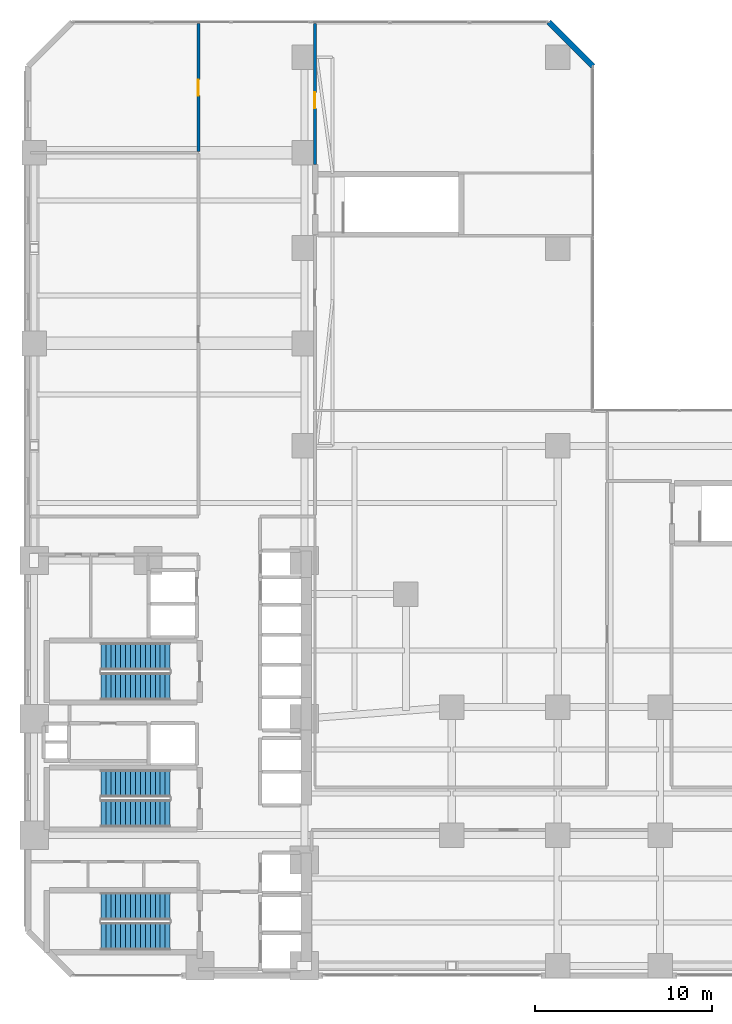
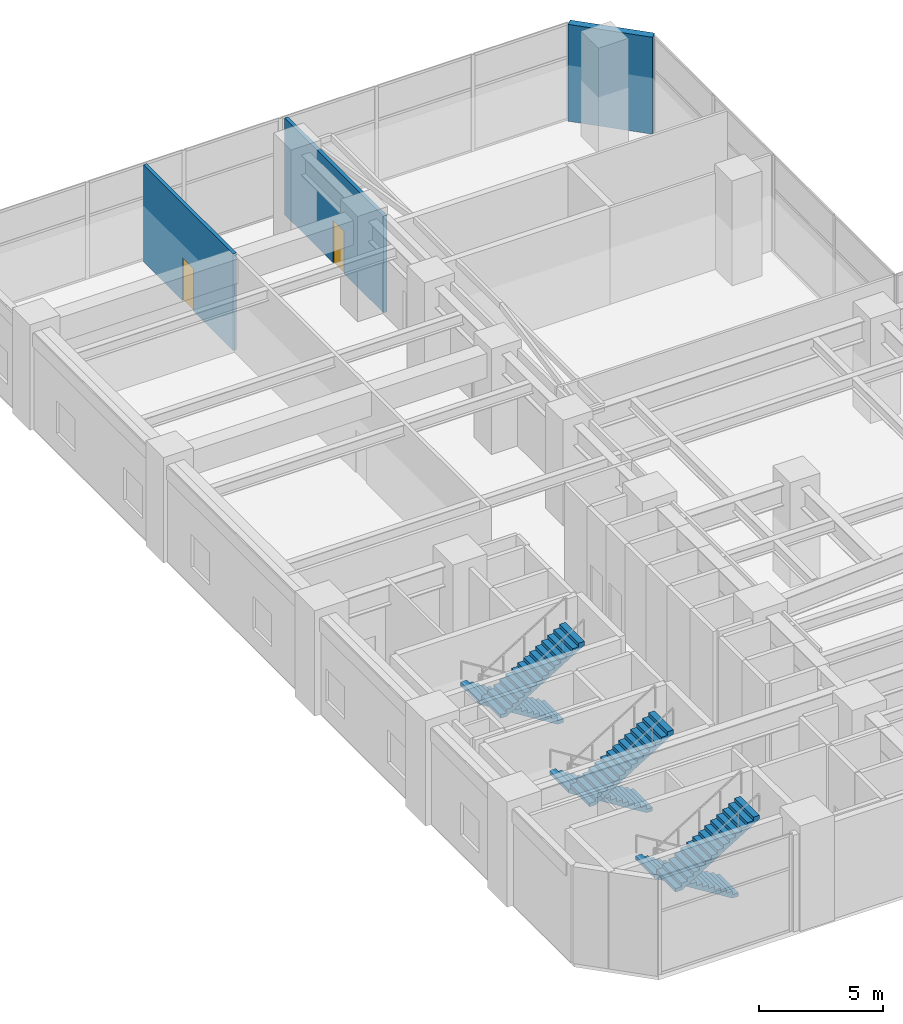
# One storey, part 25 of 29: 6 stair flights, 3 walls, 2 doors, 2 openings, 3 elements without a shape of their own.
"""IFC4 building model written with IfcOpenShell, lengths in metres."""

import ifcopenshell
import ifcopenshell.guid

model = None  # the IFC model being written
_history = None  # IfcOwnerHistory: only IFC2X3 demands one
_inside = {}  # id of a spatial element -> (the spatial element, [elements in it])
_under = {}  # id of a project, library or spatial element -> (it, [spatial elements below it])
_declared = {}  # id of a project -> (the project, [libraries it declares])
_typed = {}  # id of a type object -> (the type object, [elements of that type])
_made_of = {}  # id of a material, layer set ... -> (it, [elements and type objects made of it])


def new_model(schema):
    """Start an empty IFC model of exactly this schema.

    Asked for "IFC4X3", IfcOpenShell would pick the latest addendum, in which some entities
    have other attributes; the version numbers below select the first issue.
    IFC2X3 requires an IfcOwnerHistory on every rooted entity: one is made here for all.
    """
    global model, _history
    if schema == "IFC4X3":
        model = ifcopenshell.file(schema_version=(4, 3, 0, 0))
    else:
        model = ifcopenshell.file(schema=schema)
    _inside.clear()
    _under.clear()
    _declared.clear()
    _typed.clear()
    _made_of.clear()
    _history = None
    if model.schema == "IFC2X3":
        org = make("IfcOrganization", Name="unknown")
        user = make(
            "IfcPersonAndOrganization",
            ThePerson=make("IfcPerson", FamilyName="unknown"),
            TheOrganization=org,
        )
        app = make(
            "IfcApplication",
            ApplicationDeveloper=org,
            Version="unknown",
            ApplicationFullName="unknown",
            ApplicationIdentifier="unknown",
        )
        _history = make(
            "IfcOwnerHistory",
            OwningUser=user,
            OwningApplication=app,
            ChangeAction="ADDED",
            CreationDate=0,
        )
    return model


def make(cls, **values):
    """One entity of the class cls with the attributes given. An attribute that is None is left unset."""
    return model.create_entity(
        cls, **{name: value for name, value in values.items() if value is not None}
    )


def rooted(cls, **values):
    """An entity with a GlobalId (a new one), such as an element, a storey or a relation."""
    return make(cls, GlobalId=ifcopenshell.guid.new(), OwnerHistory=_history, **values)


def si_unit(unit_type, name, prefix=None):
    """IfcSIUnit, for example si_unit("LENGTHUNIT", "METRE", prefix="MILLI")."""
    return make("IfcSIUnit", UnitType=unit_type, Prefix=prefix, Name=name)


def assignment(units):
    """IfcUnitAssignment: the units of a project."""
    return None if units is None else make("IfcUnitAssignment", Units=units)


def point(xyz):
    """IfcCartesianPoint."""
    return None if xyz is None else make("IfcCartesianPoint", Coordinates=xyz)


def direction(xyz):
    """IfcDirection."""
    return None if xyz is None else make("IfcDirection", DirectionRatios=xyz)


def frame(location, z_axis=None, x_axis=None):
    """IfcAxis2Placement3D, a coordinate frame: its origin and axes. An axis left out is left unset."""
    return make(
        "IfcAxis2Placement3D",
        Location=point(location),
        Axis=direction(z_axis),
        RefDirection=direction(x_axis),
    )


def frame_2d(location, x_axis=None):
    """IfcAxis2Placement2D, a coordinate frame in the plane: its origin and x axis."""
    return make(
        "IfcAxis2Placement2D", Location=point(location), RefDirection=direction(x_axis)
    )


def origin():
    """The frame at (0, 0, 0) with its axes left unset."""
    return frame((0.0, 0.0, 0.0))


def place(relative_to, where):
    """IfcLocalPlacement: puts the frame where relative to a parent placement (None: the world)."""
    return make(
        "IfcLocalPlacement", PlacementRelTo=relative_to, RelativePlacement=where
    )


def context(
    kind, dimensions, precision=None, world=None, true_north=None, identifier=None
):
    """IfcGeometricRepresentationContext, for example the 3D "Model" context."""
    return make(
        "IfcGeometricRepresentationContext",
        ContextIdentifier=identifier,
        ContextType=kind,
        CoordinateSpaceDimension=dimensions,
        Precision=precision,
        WorldCoordinateSystem=world,
        TrueNorth=true_north,
    )


def subcontext(parent, identifier, kind, view, scale=None):
    """IfcGeometricRepresentationSubContext, for example "Body" below "Model"."""
    return make(
        "IfcGeometricRepresentationSubContext",
        ContextIdentifier=identifier,
        ContextType=kind,
        ParentContext=parent,
        TargetScale=scale,
        TargetView=view,
    )


def project(units=None, contexts=None):
    """IfcProject with its units and contexts."""
    return rooted(
        "IfcProject",
        Name="project",
        RepresentationContexts=contexts,
        UnitsInContext=assignment(units),
    )


def spatial(cls, under=None, at=None, **own):
    """A site, building, storey or space (cls), placed at a placement, below another one or the project."""
    s = rooted(cls, ObjectPlacement=at, **own)
    if under is not None:
        _under.setdefault(under.id(), (under, []))[1].append(s)
    return s


def polyline(points):
    """IfcPolyline through the points."""
    return make("IfcPolyline", Points=[point(p) for p in points])


def profile(cls, at=None, kind="AREA", **sizes):
    """A parametric profile (cls). Its sizes go by their IFC names, for example OverallWidth=200.0."""
    return make(cls, ProfileType=kind, Position=at, **sizes)


def rectangle(**sizes):
    """IfcRectangleProfileDef."""
    return profile("IfcRectangleProfileDef", **sizes)


def outline(outer, holes=None, kind="AREA"):
    """IfcArbitraryClosedProfileDef: a profile drawn as a closed curve; with holes, ...WithVoids."""
    if holes is None:
        return make("IfcArbitraryClosedProfileDef", ProfileType=kind, OuterCurve=outer)
    return make(
        "IfcArbitraryProfileDefWithVoids",
        ProfileType=kind,
        OuterCurve=outer,
        InnerCurves=holes,
    )


def extrude(swept, where, along, depth):
    """IfcExtrudedAreaSolid: the profile swept, set in the frame where, extruded along a direction by depth."""
    return make(
        "IfcExtrudedAreaSolid",
        SweptArea=swept,
        Position=where,
        ExtrudedDirection=direction(along),
        Depth=depth,
    )


def shape(context_of_items, identifier, shape_type, items):
    """IfcShapeRepresentation: the items that make up one representation, for example the "Body"."""
    return make(
        "IfcShapeRepresentation",
        ContextOfItems=context_of_items,
        RepresentationIdentifier=identifier,
        RepresentationType=shape_type,
        Items=items,
    )


def material(Name=None, Category=None):
    """IfcMaterial."""
    return make("IfcMaterial", Name=Name, Category=Category)


def layer(
    of_material, thickness, ventilated=None, Name=None, Category=None, Priority=None
):
    """IfcMaterialLayer: one layer of a wall or slab, of a material (None: an air gap)."""
    return make(
        "IfcMaterialLayer",
        Material=of_material,
        LayerThickness=thickness,
        IsVentilated=ventilated,
        Name=Name,
        Category=Category,
        Priority=Priority,
    )


def layer_set(layers, Name=None):
    """IfcMaterialLayerSet."""
    return make("IfcMaterialLayerSet", MaterialLayers=layers, LayerSetName=Name)


def made_of(thing, what):
    """Note that an element or type object is made of a material, layer set ...; save() writes the relation."""
    if what is not None:
        _made_of.setdefault(what.id(), (what, []))[1].append(thing)
    return thing


def type_object(cls, material=None, **own):
    """A type object (cls), such as IfcWallType, which elements share."""
    return made_of(rooted(cls, **own), material)


def element(
    cls,
    number,
    at=None,
    inside=None,
    cuts=None,
    type_object=None,
    material=None,
    context=None,
    identifier="Body",
    shape_type=None,
    held_by="IfcProductDefinitionShape",
    body=None,
    shapes=None,
    **own,
):
    """One element of the class cls, such as IfcWall. Its Tag is "e" and its number.

    at: its placement. inside: the storey or other place that contains it. cuts: it is an
    opening in that element (IfcRelVoidsElement). A single representation is given by context,
    identifier, shape_type and body (its items); several are given by shapes. held_by: the class
    of the entity that holds the representations. save() writes the other relations.
    """
    e = rooted(cls, Tag="e%d" % number, ObjectPlacement=at, **own)
    if body is not None:
        shapes = [shape(context, identifier, shape_type, body)]
    if shapes is not None:
        e.Representation = make(held_by, Representations=shapes)
    if inside is not None:
        _inside.setdefault(inside.id(), (inside, []))[1].append(e)
    if cuts is not None:
        rooted(
            "IfcRelVoidsElement", RelatingBuildingElement=cuts, RelatedOpeningElement=e
        )
    if type_object is not None:
        _typed.setdefault(type_object.id(), (type_object, []))[1].append(e)
    return made_of(e, material)


def fill(opening, filler):
    """IfcRelFillsElement: the door or window that sits in an opening."""
    return rooted(
        "IfcRelFillsElement",
        RelatingOpeningElement=opening,
        RelatedBuildingElement=filler,
    )


def aggregate(whole, parts):
    """IfcRelAggregates: a whole, such as a stair, and the parts it consists of."""
    return rooted("IfcRelAggregates", RelatingObject=whole, RelatedObjects=parts)


def save(model, path):
    """Write the relations noted so far, then the file.

    IfcRelAggregates (storeys below a building ...), IfcRelContainedInSpatialStructure (elements
    in a storey), IfcRelDefinesByType, IfcRelAssociatesMaterial and IfcRelDeclares: one each for
    every whole, place, type object, material and project.
    """
    for whole, parts in _under.values():
        aggregate(whole, parts)
    for where, things in _inside.values():
        rooted(
            "IfcRelContainedInSpatialStructure",
            RelatedElements=things,
            RelatingStructure=where,
        )
    for kind, things in _typed.values():
        rooted("IfcRelDefinesByType", RelatedObjects=things, RelatingType=kind)
    for what, things in _made_of.values():
        rooted("IfcRelAssociatesMaterial", RelatedObjects=things, RelatingMaterial=what)
    for by, libraries in _declared.values():
        rooted("IfcRelDeclares", RelatingContext=by, RelatedDefinitions=libraries)
    model.write(path)


model = new_model("IFC4")

# Units and contexts
model_context = context("Model", 3, precision=1e-05, world=origin(), true_north=direction((0.0, 1.0)))
body_context = subcontext(model_context, "Body", "Model", "MODEL_VIEW")
ifc_project = project(units=[si_unit("LENGTHUNIT", "METRE"), si_unit("AREAUNIT", "SQUARE_METRE"), si_unit("VOLUMEUNIT", "CUBIC_METRE"), si_unit("PLANEANGLEUNIT", "RADIAN"), si_unit("MASSUNIT", "GRAM", prefix="KILO")], contexts=[model_context])

# Site, building, storey
site_placement = place(None, origin())
site = spatial("IfcSite", under=ifc_project, at=site_placement, CompositionType="ELEMENT")
building_placement = place(site_placement, origin())
building = spatial("IfcBuilding", under=site, at=building_placement, Name="Mawjaban Terraces University", CompositionType="ELEMENT")
storey_placement = place(building_placement, frame((0.0, 0.0, 20.800048828125)))
storey = spatial("IfcBuildingStorey", under=building, at=storey_placement, Name="L04", CompositionType="ELEMENT", Elevation=20.800048828125)

# Wall, opening, door
ifc_material_1 = material(Name="Fire-rated gypsum board on steel stud", Category="steel")
ifc_layer_1 = layer(ifc_material_1, 0.159912109375)
ifc_layer_set_1 = layer_set([ifc_layer_1], Name="Fire-rated gypsum board on steel stud")
wall_type_1 = type_object("IfcWallType", Name="CorridorPartition_160", PredefinedType="PARTITIONING", material=ifc_layer_set_1)
wall_1_placement = place(storey_placement, frame((31.64990234375, 53.909912109375, 0.0), z_axis=(0.0, 0.0, 1.0), x_axis=(0.0, -1.0, 0.0)))
wall_1 = element("IfcWall", 1, at=wall_1_placement, inside=storey, type_object=wall_type_1, Name="L04 Podium Library Concourse Partition 31", PredefinedType="PARTITIONING", context=body_context, shape_type="SweptSolid", body=[
    extrude(rectangle(XDim=7.2529296875, YDim=0.159912109375, at=frame_2d((3.62646484375, 0.0))), origin(), (0.0, 0.0, 1.0), 4.780029296875),
])
opening_1_placement = place(wall_1_placement, frame((3.176025390625, 0.0, 0.0)))
opening_1 = element("IfcOpeningElement", 2, at=opening_1_placement, cuts=wall_1, Name="Opening ID-090", PredefinedType="OPENING", context=body_context, shape_type="SweptSolid", body=[
    extrude(rectangle(XDim=0.89990234375, YDim=2.10009765625, at=frame_2d((0.449951171875, 1.050048828125))), frame((0.0, 0.08984375, 0.0), z_axis=(0.0, -1.0, 0.0), x_axis=(1.0, 0.0, 0.0)), (0.0, 0.0, 1.0), 0.179931640625),
])
ifc_material_2 = material(Name="Powder-coated steel frame and solid acoustic timber leaf", Category="steel")
door_type = type_object("IfcDoorType", Name="OfficeDoor_900x2100", OperationType="NOTDEFINED", PredefinedType="DOOR", material=ifc_material_2)
door_1_placement = place(opening_1_placement, origin())
door_1 = element("IfcDoor", 3, at=door_1_placement, inside=storey, type_object=door_type, Name="L04 Library Cataloguing and Faculty Office Door", OperationType="SINGLE_SWING_RIGHT", OverallHeight=2.10009765625, OverallWidth=0.89990234375, PredefinedType="DOOR", context=body_context, shape_type="SweptSolid", body=[
    extrude(rectangle(XDim=0.89990234375, YDim=2.10009765625, at=frame_2d((0.449951171875, 1.050048828125))), frame((0.0, 0.02490234375, 0.0), z_axis=(0.0, -1.0, 0.0), x_axis=(1.0, 0.0, 0.0)), (0.0, 0.0, 1.0), 0.050048828125),
])
fill(opening_1, door_1)

wall_2_placement = place(storey_placement, frame((38.25, 45.919921875, 0.0), z_axis=(0.0, 0.0, 1.0), x_axis=(0.0, 1.0, 0.0)))
wall_2 = element("IfcWall", 4, at=wall_2_placement, inside=storey, type_object=wall_type_1, Name="L04 Podium Library Concourse Partition 37", PredefinedType="PARTITIONING", context=body_context, shape_type="SweptSolid", body=[
    extrude(rectangle(XDim=7.989990234375, YDim=0.159912109375, at=frame_2d((3.9951171875, 0.0))), origin(), (0.0, 0.0, 1.0), 4.780029296875),
])
opening_2_placement = place(wall_2_placement, frame((3.195068359375, 0.0, 0.0)))
opening_2 = element("IfcOpeningElement", 5, at=opening_2_placement, cuts=wall_2, Name="Opening ID-090", PredefinedType="OPENING", context=body_context, shape_type="SweptSolid", body=[
    extrude(rectangle(XDim=0.89990234375, YDim=2.10009765625, at=frame_2d((0.449951171875, 1.050048828125))), frame((0.0, 0.08984375, 0.0), z_axis=(0.0, -1.0, 0.0), x_axis=(1.0, 0.0, 0.0)), (0.0, 0.0, 1.0), 0.179931640625),
])
door_2_placement = place(opening_2_placement, origin())
door_2 = element("IfcDoor", 6, at=door_2_placement, inside=storey, type_object=door_type, Name="L04 Special Collections Study Room Door", OperationType="SINGLE_SWING_RIGHT", OverallHeight=2.10009765625, OverallWidth=0.89990234375, PredefinedType="DOOR", context=body_context, shape_type="SweptSolid", body=[
    extrude(rectangle(XDim=0.89990234375, YDim=2.10009765625, at=frame_2d((0.449951171875, 1.050048828125))), frame((0.0, 0.02490234375, 0.0), z_axis=(0.0, -1.0, 0.0), x_axis=(1.0, 0.0, 0.0)), (0.0, 0.0, 1.0), 0.050048828125),
])
fill(opening_2, door_2)

# Wall
ifc_material_3 = material(Name="Insulated terracotta rainscreen on concrete backup C40/50", Category="masonry")
ifc_layer_2 = layer(ifc_material_3, 0.320068359375)
ifc_layer_set_2 = layer_set([ifc_layer_2], Name="Insulated terracotta rainscreen on concrete backup C40/50")
wall_type_2 = type_object("IfcWallType", Name="ExtTerracottaWall_320", PredefinedType="SOLIDWALL", material=ifc_layer_set_2)
wall_3_placement = place(storey_placement, frame((54.0, 51.5, 0.0), z_axis=(0.0, 0.0, 1.0), x_axis=(-0.707106781187, 0.707106781187, 0.0)))
element("IfcWall", 7, at=wall_3_placement, inside=storey, type_object=wall_type_2, Name="L04 Exterior Terracotta Wall 7", PredefinedType="SOLIDWALL", context=body_context, shape_type="SweptSolid", body=[
    extrude(rectangle(XDim=3.53564453125, YDim=0.320068359375, at=frame_2d((1.767822265625, 0.0))), origin(), (0.0, 0.0, 1.0), 4.780029296875),
])

# Stair, stair flights
ifc_material_4 = material(Name="Concrete C40/50", Category="concrete")
stair_type = type_object("IfcStairType", Name="Stair_Core1550_H52", PredefinedType="HALF_TURN_STAIR", material=ifc_material_4)
stair_1_placement = place(storey_placement, origin())
stair_1 = element("IfcStair", 8, at=stair_1_placement, inside=storey, type_object=stair_type, Name="L04 Core Exit Stair 1", PredefinedType="HALF_TURN_STAIR")
stair_flight_type = type_object("IfcStairFlightType", Name="Flight_Core1550_H52", PredefinedType="STRAIGHT", material=ifc_material_4)
stair_flight_1_placement = place(storey_placement, frame((30.050048828125, 3.925048828125, 0.0), z_axis=(0.0, 0.0, 1.0), x_axis=(-1.0, 0.0, 0.0)))
stair_flight_1 = element("IfcStairFlight", 9, at=stair_flight_1_placement, type_object=stair_flight_type, Name="ST-1 flight 1", NumberOfRisers=15, NumberOfTreads=14, PredefinedType="STRAIGHT", RiserHeight=0.173333333, TreadLength=0.28, context=body_context, shape_type="SweptSolid", body=[
    extrude(outline(polyline([(0.0, 0.0), (0.0, 0.17333984375), (0.280029296875, 0.17333984375), (0.280029296875, 0.3466796875), (0.56005859375, 0.3466796875), (0.56005859375, 0.52001953125), (0.840087890625, 0.52001953125), (0.840087890625, 0.693359375), (1.1201171875, 0.693359375), (1.1201171875, 0.86669921875), (1.39990234375, 0.86669921875), (1.39990234375, 1.0400390625), (1.679931640625, 1.0400390625), (1.679931640625, 1.21337890625), (1.9599609375, 1.21337890625), (1.9599609375, 1.38671875), (2.239990234375, 1.38671875), (2.239990234375, 1.56005859375), (2.52001953125, 1.56005859375), (2.52001953125, 1.7333984375), (2.800048828125, 1.7333984375), (2.800048828125, 1.90673828125), (3.080078125, 1.90673828125), (3.080078125, 2.080078125), (3.360107421875, 2.080078125), (3.360107421875, 2.25341796875), (3.639892578125, 2.25341796875), (3.639892578125, 2.4267578125), (3.919921875, 2.4267578125), (3.919921875, 2.60009765625), (3.919921875, 2.250244140625), (0.284912109375, 0.0), (0.0, 0.0)])), frame((0.0, 0.77490234375, 0.0), z_axis=(0.0, -1.0, 0.0), x_axis=(1.0, 0.0, 0.0)), (0.0, 0.0, 1.0), 1.550048828125),
])
stair_flight_2_placement = place(storey_placement, frame((26.1298828125, 2.22509765625, 2.599853515625), z_axis=(0.0, 0.0, 1.0), x_axis=(1.0, 0.0, 0.0)))
stair_flight_2 = element("IfcStairFlight", 10, at=stair_flight_2_placement, type_object=stair_flight_type, Name="ST-1 flight 2", NumberOfRisers=15, NumberOfTreads=14, PredefinedType="STRAIGHT", RiserHeight=0.173333333, TreadLength=0.28, context=body_context, shape_type="SweptSolid", body=[
    extrude(outline(polyline([(0.0, 0.0), (0.0, 0.17333984375), (0.280029296875, 0.17333984375), (0.280029296875, 0.3466796875), (0.56005859375, 0.3466796875), (0.56005859375, 0.52001953125), (0.840087890625, 0.52001953125), (0.840087890625, 0.693359375), (1.1201171875, 0.693359375), (1.1201171875, 0.86669921875), (1.39990234375, 0.86669921875), (1.39990234375, 1.0400390625), (1.679931640625, 1.0400390625), (1.679931640625, 1.21337890625), (1.9599609375, 1.21337890625), (1.9599609375, 1.38671875), (2.239990234375, 1.38671875), (2.239990234375, 1.56005859375), (2.52001953125, 1.56005859375), (2.52001953125, 1.7333984375), (2.800048828125, 1.7333984375), (2.800048828125, 1.90673828125), (3.080078125, 1.90673828125), (3.080078125, 2.080078125), (3.360107421875, 2.080078125), (3.360107421875, 2.25341796875), (3.639892578125, 2.25341796875), (3.639892578125, 2.4267578125), (3.919921875, 2.4267578125), (3.919921875, 2.60009765625), (3.919921875, 2.250244140625), (0.284912109375, 0.0), (0.0, 0.0)])), frame((0.0, 0.77490234375, 0.0), z_axis=(0.0, -1.0, 0.0), x_axis=(1.0, 0.0, 0.0)), (0.0, 0.0, 1.0), 1.550048828125),
])
aggregate(stair_1, [stair_flight_1, stair_flight_2])

stair_2_placement = place(storey_placement, origin())
stair_2 = element("IfcStair", 11, at=stair_2_placement, inside=storey, type_object=stair_type, Name="L04 Core Exit Stair 2", PredefinedType="HALF_TURN_STAIR")
stair_flight_3_placement = place(storey_placement, frame((30.050048828125, 18.074951171875, 0.0), z_axis=(0.0, 0.0, 1.0), x_axis=(-1.0, 0.0, 0.0)))
stair_flight_3 = element("IfcStairFlight", 12, at=stair_flight_3_placement, type_object=stair_flight_type, Name="ST-2 flight 1", NumberOfRisers=15, NumberOfTreads=14, PredefinedType="STRAIGHT", RiserHeight=0.173333333, TreadLength=0.28, context=body_context, shape_type="SweptSolid", body=[
    extrude(outline(polyline([(0.0, 0.0), (0.0, 0.17333984375), (0.280029296875, 0.17333984375), (0.280029296875, 0.3466796875), (0.56005859375, 0.3466796875), (0.56005859375, 0.52001953125), (0.840087890625, 0.52001953125), (0.840087890625, 0.693359375), (1.1201171875, 0.693359375), (1.1201171875, 0.86669921875), (1.39990234375, 0.86669921875), (1.39990234375, 1.0400390625), (1.679931640625, 1.0400390625), (1.679931640625, 1.21337890625), (1.9599609375, 1.21337890625), (1.9599609375, 1.38671875), (2.239990234375, 1.38671875), (2.239990234375, 1.56005859375), (2.52001953125, 1.56005859375), (2.52001953125, 1.7333984375), (2.800048828125, 1.7333984375), (2.800048828125, 1.90673828125), (3.080078125, 1.90673828125), (3.080078125, 2.080078125), (3.360107421875, 2.080078125), (3.360107421875, 2.25341796875), (3.639892578125, 2.25341796875), (3.639892578125, 2.4267578125), (3.919921875, 2.4267578125), (3.919921875, 2.60009765625), (3.919921875, 2.250244140625), (0.284912109375, 0.0), (0.0, 0.0)])), frame((0.0, 0.77490234375, 0.0), z_axis=(0.0, -1.0, 0.0), x_axis=(1.0, 0.0, 0.0)), (0.0, 0.0, 1.0), 1.550048828125),
])
stair_flight_4_placement = place(storey_placement, frame((26.1298828125, 16.375, 2.599853515625), z_axis=(0.0, 0.0, 1.0), x_axis=(1.0, 0.0, 0.0)))
stair_flight_4 = element("IfcStairFlight", 13, at=stair_flight_4_placement, type_object=stair_flight_type, Name="ST-2 flight 2", NumberOfRisers=15, NumberOfTreads=14, PredefinedType="STRAIGHT", RiserHeight=0.173333333, TreadLength=0.28, context=body_context, shape_type="SweptSolid", body=[
    extrude(outline(polyline([(0.0, 0.0), (0.0, 0.17333984375), (0.280029296875, 0.17333984375), (0.280029296875, 0.3466796875), (0.56005859375, 0.3466796875), (0.56005859375, 0.52001953125), (0.840087890625, 0.52001953125), (0.840087890625, 0.693359375), (1.1201171875, 0.693359375), (1.1201171875, 0.86669921875), (1.39990234375, 0.86669921875), (1.39990234375, 1.0400390625), (1.679931640625, 1.0400390625), (1.679931640625, 1.21337890625), (1.9599609375, 1.21337890625), (1.9599609375, 1.38671875), (2.239990234375, 1.38671875), (2.239990234375, 1.56005859375), (2.52001953125, 1.56005859375), (2.52001953125, 1.7333984375), (2.800048828125, 1.7333984375), (2.800048828125, 1.90673828125), (3.080078125, 1.90673828125), (3.080078125, 2.080078125), (3.360107421875, 2.080078125), (3.360107421875, 2.25341796875), (3.639892578125, 2.25341796875), (3.639892578125, 2.4267578125), (3.919921875, 2.4267578125), (3.919921875, 2.60009765625), (3.919921875, 2.250244140625), (0.284912109375, 0.0), (0.0, 0.0)])), frame((0.0, 0.77490234375, 0.0), z_axis=(0.0, -1.0, 0.0), x_axis=(1.0, 0.0, 0.0)), (0.0, 0.0, 1.0), 1.550048828125),
])
aggregate(stair_2, [stair_flight_3, stair_flight_4])

stair_3_placement = place(storey_placement, origin())
stair_3 = element("IfcStair", 14, at=stair_3_placement, inside=storey, type_object=stair_type, Name="L04 Core Exit Stair 3", PredefinedType="HALF_TURN_STAIR")
stair_flight_5_placement = place(storey_placement, frame((30.050048828125, 10.875, 0.0), z_axis=(0.0, 0.0, 1.0), x_axis=(-1.0, 0.0, 0.0)))
stair_flight_5 = element("IfcStairFlight", 15, at=stair_flight_5_placement, type_object=stair_flight_type, Name="ST-3 flight 1", NumberOfRisers=15, NumberOfTreads=14, PredefinedType="STRAIGHT", RiserHeight=0.173333333, TreadLength=0.28, context=body_context, shape_type="SweptSolid", body=[
    extrude(outline(polyline([(0.0, 0.0), (0.0, 0.17333984375), (0.280029296875, 0.17333984375), (0.280029296875, 0.3466796875), (0.56005859375, 0.3466796875), (0.56005859375, 0.52001953125), (0.840087890625, 0.52001953125), (0.840087890625, 0.693359375), (1.1201171875, 0.693359375), (1.1201171875, 0.86669921875), (1.39990234375, 0.86669921875), (1.39990234375, 1.0400390625), (1.679931640625, 1.0400390625), (1.679931640625, 1.21337890625), (1.9599609375, 1.21337890625), (1.9599609375, 1.38671875), (2.239990234375, 1.38671875), (2.239990234375, 1.56005859375), (2.52001953125, 1.56005859375), (2.52001953125, 1.7333984375), (2.800048828125, 1.7333984375), (2.800048828125, 1.90673828125), (3.080078125, 1.90673828125), (3.080078125, 2.080078125), (3.360107421875, 2.080078125), (3.360107421875, 2.25341796875), (3.639892578125, 2.25341796875), (3.639892578125, 2.4267578125), (3.919921875, 2.4267578125), (3.919921875, 2.60009765625), (3.919921875, 2.250244140625), (0.284912109375, 0.0), (0.0, 0.0)])), frame((0.0, 0.77490234375, 0.0), z_axis=(0.0, -1.0, 0.0), x_axis=(1.0, 0.0, 0.0)), (0.0, 0.0, 1.0), 1.550048828125),
])
stair_flight_6_placement = place(storey_placement, frame((26.1298828125, 9.175048828125, 2.599853515625), z_axis=(0.0, 0.0, 1.0), x_axis=(1.0, 0.0, 0.0)))
stair_flight_6 = element("IfcStairFlight", 16, at=stair_flight_6_placement, type_object=stair_flight_type, Name="ST-3 flight 2", NumberOfRisers=15, NumberOfTreads=14, PredefinedType="STRAIGHT", RiserHeight=0.173333333, TreadLength=0.28, context=body_context, shape_type="SweptSolid", body=[
    extrude(outline(polyline([(0.0, 0.0), (0.0, 0.17333984375), (0.280029296875, 0.17333984375), (0.280029296875, 0.3466796875), (0.56005859375, 0.3466796875), (0.56005859375, 0.52001953125), (0.840087890625, 0.52001953125), (0.840087890625, 0.693359375), (1.1201171875, 0.693359375), (1.1201171875, 0.86669921875), (1.39990234375, 0.86669921875), (1.39990234375, 1.0400390625), (1.679931640625, 1.0400390625), (1.679931640625, 1.21337890625), (1.9599609375, 1.21337890625), (1.9599609375, 1.38671875), (2.239990234375, 1.38671875), (2.239990234375, 1.56005859375), (2.52001953125, 1.56005859375), (2.52001953125, 1.7333984375), (2.800048828125, 1.7333984375), (2.800048828125, 1.90673828125), (3.080078125, 1.90673828125), (3.080078125, 2.080078125), (3.360107421875, 2.080078125), (3.360107421875, 2.25341796875), (3.639892578125, 2.25341796875), (3.639892578125, 2.4267578125), (3.919921875, 2.4267578125), (3.919921875, 2.60009765625), (3.919921875, 2.250244140625), (0.284912109375, 0.0), (0.0, 0.0)])), frame((0.0, 0.77490234375, 0.0), z_axis=(0.0, -1.0, 0.0), x_axis=(1.0, 0.0, 0.0)), (0.0, 0.0, 1.0), 1.550048828125),
])
aggregate(stair_3, [stair_flight_5, stair_flight_6])

save(model, "model.ifc")
